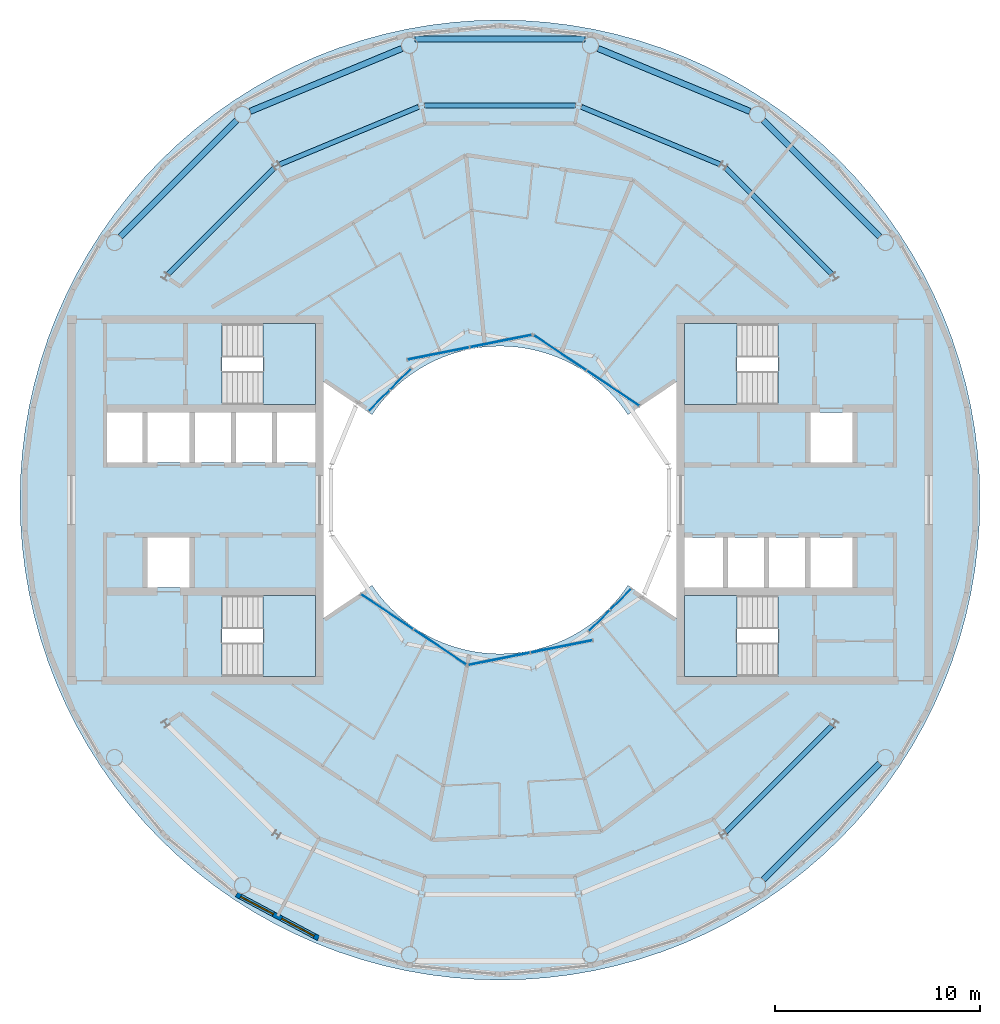
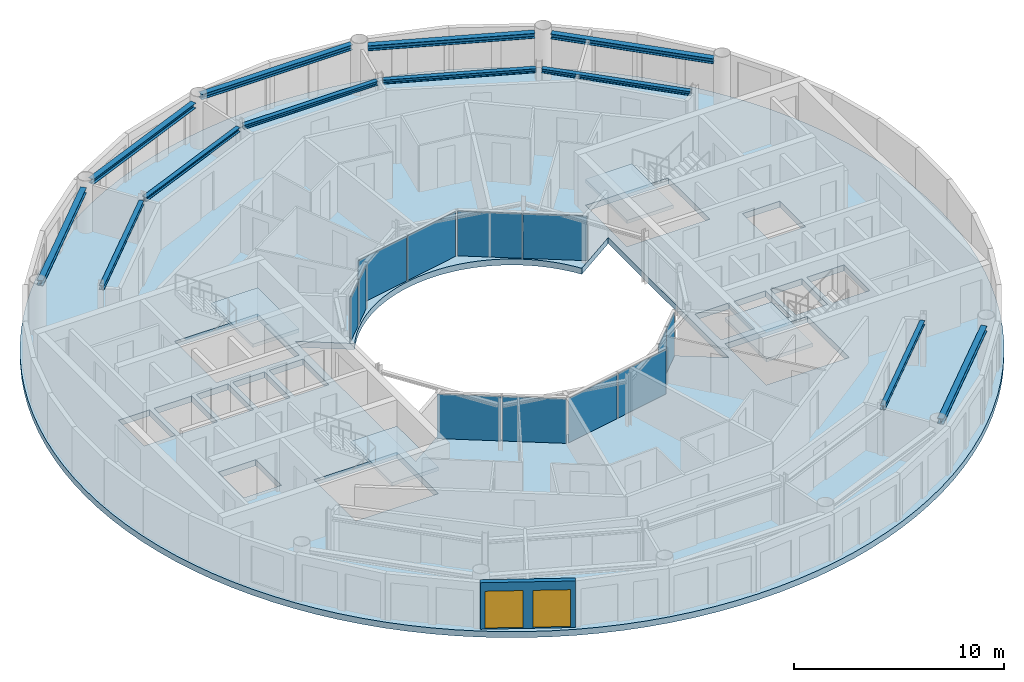
# One storey, part 7 of 17: 12 beams, 12 plates, 5 slabs, 2 doors, 1 wall, 2 openings, 10 elements without a shape of their own.
"""IFC4 building model written with IfcOpenShell, lengths in metres."""

from ifc_helpers import new_model, si_unit, direction, frame, frame_2d, origin, origin_2d, place, context, subcontext, project, spatial, polyline, rectangle, i_section, outline, extrude, material, layer, layer_set, material_profile, profile_set, type_object, element, fill, aggregate, save


model = new_model("IFC4")

# Units and contexts
model_context = context("Model", 3, precision=1e-05, world=origin(), true_north=direction((0.0, 1.0)))
body_context = subcontext(model_context, "Body", "Model", "MODEL_VIEW")
ifc_project = project(units=[si_unit("LENGTHUNIT", "METRE"), si_unit("AREAUNIT", "SQUARE_METRE"), si_unit("VOLUMEUNIT", "CUBIC_METRE"), si_unit("PLANEANGLEUNIT", "RADIAN"), si_unit("MASSUNIT", "GRAM", prefix="KILO")], contexts=[model_context])

# Site, building, storey
site_placement = place(None, origin())
site = spatial("IfcSite", under=ifc_project, at=site_placement, CompositionType="ELEMENT")
building_placement = place(site_placement, origin())
building = spatial("IfcBuilding", under=site, at=building_placement, Name="Maasbend Ring Residences", CompositionType="ELEMENT")
storey_placement = place(building_placement, frame((0.0, 0.0, 249.300048828125)))
storey = spatial("IfcBuildingStorey", under=building, at=storey_placement, Name="L72", CompositionType="ELEMENT", Elevation=249.300048828125)

# Beams
ifc_material_1 = material(Name="Steel S355J2", Category="steel")
ifc_material_profile_1 = material_profile(ifc_material_1, i_section(OverallWidth=0.239990234375, OverallDepth=0.22998046875, WebThickness=0.007568359375, FlangeThickness=0.011962890625, FilletRadius=0.02099609375, at=origin_2d()), Name="HEA 240")
ifc_profile_set_1 = profile_set([ifc_material_profile_1], Name="Steel S355J2")
beam_type_1 = type_object("IfcBeamType", Name="Corridor ring beam HEA 240", PredefinedType="BEAM", material=ifc_profile_set_1)
beam_1_placement = place(storey_placement, frame((16.188720703125, 10.997314453125, 2.5849609375), z_axis=(-0.707106781187, 0.707106781187, 0.0), x_axis=(-0.707106781187, -0.707106781187, 0.0)))
element("IfcBeam", 1, at=beam_1_placement, inside=storey, type_object=beam_type_1, Name="Corridor ring beam", PredefinedType="BEAM", context=body_context, shape_type="SweptSolid", body=[
    extrude(i_section(OverallWidth=0.239990234375, OverallDepth=0.22998046875, WebThickness=0.007568359375, FlangeThickness=0.011962890625, FilletRadius=0.02099609375, at=origin_2d()), origin(), (0.0, 0.0, 1.0), 7.341796875),
])
beam_2_placement = place(storey_placement, frame((10.747802734375, 16.355224609375, 2.5849609375), z_axis=(-0.923875784142, 0.382692481603, 0.0), x_axis=(-0.382692481603, -0.923875784142, 0.0)))
element("IfcBeam", 2, at=beam_2_placement, inside=storey, type_object=beam_type_1, Name="Corridor ring beam", PredefinedType="BEAM", context=body_context, shape_type="SweptSolid", body=[
    extrude(i_section(OverallWidth=0.239990234375, OverallDepth=0.22998046875, WebThickness=0.007568359375, FlangeThickness=0.011962890625, FilletRadius=0.02099609375, at=origin_2d()), origin(), (0.0, 0.0, 1.0), 7.341552734375),
])
beam_3_placement = place(storey_placement, frame((3.6708984375, 19.223388671875, 2.5849609375), z_axis=(-1.0, 0.0, 0.0), x_axis=(0.0, -1.0, 0.0)))
element("IfcBeam", 3, at=beam_3_placement, inside=storey, type_object=beam_type_1, Name="Corridor ring beam", PredefinedType="BEAM", context=body_context, shape_type="SweptSolid", body=[
    extrude(i_section(OverallWidth=0.239990234375, OverallDepth=0.22998046875, WebThickness=0.007568359375, FlangeThickness=0.011962890625, FilletRadius=0.02099609375, at=origin_2d()), origin(), (0.0, 0.0, 1.0), 7.341796875),
])
beam_4_placement = place(storey_placement, frame((-3.965087890625, 19.164794921875, 2.5849609375), z_axis=(-0.923875784142, -0.382692481603, 0.0), x_axis=(0.382692481603, -0.923875784142, 0.0)))
element("IfcBeam", 4, at=beam_4_placement, inside=storey, type_object=beam_type_1, Name="Corridor ring beam", PredefinedType="BEAM", context=body_context, shape_type="SweptSolid", body=[
    extrude(i_section(OverallWidth=0.239990234375, OverallDepth=0.22998046875, WebThickness=0.007568359375, FlangeThickness=0.011962890625, FilletRadius=0.02099609375, at=origin_2d()), origin(), (0.0, 0.0, 1.0), 7.341552734375),
])
for number, where, z_axis, x_axis, name in (
    (5, (-10.997314453125, 16.188720703125, 2.5849609375), (-0.707106781187, -0.707106781187, 0.0), (0.707106781187, -0.707106781187, 0.0), "Corridor ring beam"),
    (6, (10.997314453125, -16.188720703125, 2.5849609375), (0.707106781187, 0.707106781187, 0.0), (-0.707106781187, 0.707106781187, 0.0), "Corridor ring beam"),
):
    element("IfcBeam", number, at=place(storey_placement, frame(where, z_axis=z_axis, x_axis=x_axis)), inside=storey, type_object=beam_type_1, Name=name, PredefinedType="BEAM", context=body_context, shape_type="SweptSolid", body=[
        extrude(i_section(OverallWidth=0.239990234375, OverallDepth=0.22998046875, WebThickness=0.007568359375, FlangeThickness=0.011962890625, FilletRadius=0.02099609375, at=origin_2d()), origin(), (0.0, 0.0, 1.0), 7.341796875),
    ])
ifc_material_2 = material(Name="Steel S355J2", Category="steel")
ifc_material_profile_2 = material_profile(ifc_material_2, i_section(OverallWidth=0.300048828125, OverallDepth=0.300048828125, WebThickness=0.010986328125, FlangeThickness=0.01904296875, FilletRadius=0.027099609375, at=origin_2d()), Name="HEB 300")
ifc_profile_set_2 = profile_set([ifc_material_profile_2], Name="Steel S355J2")
beam_type_2 = type_object("IfcBeamType", Name="Spandrel ring beam HEB 300", PredefinedType="SPANDREL", material=ifc_profile_set_2)
beam_5_placement = place(storey_placement, frame((18.50390625, 12.84326171875, 2.550048828125), z_axis=(-0.707106781187, 0.707106781187, 0.0), x_axis=(-0.707106781187, -0.707106781187, 0.0)))
element("IfcBeam", 7, at=beam_5_placement, inside=storey, type_object=beam_type_2, Name="Spandrel ring beam", PredefinedType="SPANDREL", context=body_context, shape_type="SweptSolid", body=[
    extrude(i_section(OverallWidth=0.300048828125, OverallDepth=0.300048828125, WebThickness=0.010986328125, FlangeThickness=0.01904296875, FilletRadius=0.027099609375, at=origin_2d()), origin(), (0.0, 0.0, 1.0), 8.00537109375),
])
beam_6_placement = place(storey_placement, frame((12.180419921875, 18.94677734375, 2.550048828125), z_axis=(-0.923887850638, 0.382663350013, 0.0), x_axis=(-0.382663350013, -0.923887850638, 0.0)))
element("IfcBeam", 8, at=beam_6_placement, inside=storey, type_object=beam_type_2, Name="Spandrel ring beam", PredefinedType="SPANDREL", context=body_context, shape_type="SweptSolid", body=[
    extrude(i_section(OverallWidth=0.300048828125, OverallDepth=0.300048828125, WebThickness=0.010986328125, FlangeThickness=0.01904296875, FilletRadius=0.027099609375, at=origin_2d()), origin(), (0.0, 0.0, 1.0), 8.005126953125),
])
beam_7_placement = place(storey_placement, frame((4.152587890625, 22.4658203125, 2.550048828125), z_axis=(-1.0, 0.0, 0.0), x_axis=(0.0, -1.0, 0.0)))
element("IfcBeam", 9, at=beam_7_placement, inside=storey, type_object=beam_type_2, Name="Spandrel ring beam", PredefinedType="SPANDREL", context=body_context, shape_type="SweptSolid", body=[
    extrude(i_section(OverallWidth=0.300048828125, OverallDepth=0.300048828125, WebThickness=0.010986328125, FlangeThickness=0.01904296875, FilletRadius=0.027099609375, at=origin_2d()), origin(), (0.0, 0.0, 1.0), 8.30517578125),
])
beam_8_placement = place(storey_placement, frame((-4.78466796875, 22.010009765625, 2.550048828125), z_axis=(-0.923887850638, -0.382663350013, 0.0), x_axis=(0.382663350013, -0.923887850638, 0.0)))
element("IfcBeam", 10, at=beam_8_placement, inside=storey, type_object=beam_type_2, Name="Spandrel ring beam", PredefinedType="SPANDREL", context=body_context, shape_type="SweptSolid", body=[
    extrude(i_section(OverallWidth=0.300048828125, OverallDepth=0.300048828125, WebThickness=0.010986328125, FlangeThickness=0.01904296875, FilletRadius=0.027099609375, at=origin_2d()), origin(), (0.0, 0.0, 1.0), 8.005126953125),
])
for number, where, z_axis, x_axis, name in (
    (11, (-12.84326171875, 18.50390625, 2.550048828125), (-0.707106781187, -0.707106781187, 0.0), (0.707106781187, -0.707106781187, 0.0), "Spandrel ring beam"),
    (12, (12.84326171875, -18.50390625, 2.550048828125), (0.707106781187, 0.707106781187, 0.0), (-0.707106781187, 0.707106781187, 0.0), "Spandrel ring beam"),
):
    element("IfcBeam", number, at=place(storey_placement, frame(where, z_axis=z_axis, x_axis=x_axis)), inside=storey, type_object=beam_type_2, Name=name, PredefinedType="SPANDREL", context=body_context, shape_type="SweptSolid", body=[
        extrude(i_section(OverallWidth=0.300048828125, OverallDepth=0.300048828125, WebThickness=0.010986328125, FlangeThickness=0.01904296875, FilletRadius=0.027099609375, at=origin_2d()), origin(), (0.0, 0.0, 1.0), 8.00537109375),
    ])

# Stair, slab
ifc_material_3 = material(Name="Concrete C40/50", Category="concrete")
stair_type = type_object("IfcStairType", Name="CORE STAIR 18 RISERS", PredefinedType="HALF_TURN_STAIR", material=ifc_material_3)
stair_1_placement = place(storey_placement, origin())
stair_1 = element("IfcStair", 13, at=stair_1_placement, inside=storey, type_object=stair_type, Name="L72 Exit stair ST-E1", PredefinedType="HALF_TURN_STAIR")
ifc_material_4 = material(Name="Concrete C40/50", Category="concrete")
ifc_layer_1 = layer(ifc_material_4, 0.199951171875)
ifc_layer_set_1 = layer_set([ifc_layer_1], Name="Concrete C40/50")
slab_type_1 = type_object("IfcSlabType", Name="CORE STAIR LANDING 200", PredefinedType="LANDING", material=ifc_layer_set_1)
slab_1_placement = place(storey_placement, frame((0.0, 0.0, 1.324951171875)))
slab_1 = element("IfcSlab", 14, at=slab_1_placement, type_object=slab_type_1, Name="ST-E1 landing 1", PredefinedType="LANDING", context=body_context, shape_type="SweptSolid", body=[
    extrude(outline(polyline([(11.550048828125, 8.60009765625), (9.0, 8.60009765625), (9.0, 4.64990234375), (11.550048828125, 4.64990234375), (11.550048828125, 8.60009765625)])), origin(), (0.0, 0.0, 1.0), 0.199951171875),
])
aggregate(stair_1, [slab_1])

stair_2_placement = place(storey_placement, origin())
stair_2 = element("IfcStair", 15, at=stair_2_placement, inside=storey, type_object=stair_type, Name="L72 Exit stair ST-E2", PredefinedType="HALF_TURN_STAIR")
slab_2_placement = place(storey_placement, frame((0.0, 0.0, 1.324951171875)))
slab_2 = element("IfcSlab", 16, at=slab_2_placement, type_object=slab_type_1, Name="ST-E2 landing 1", PredefinedType="LANDING", context=body_context, shape_type="SweptSolid", body=[
    extrude(outline(polyline([(11.550048828125, -4.64990234375), (9.0, -4.64990234375), (9.0, -8.60009765625), (11.550048828125, -8.60009765625), (11.550048828125, -4.64990234375)])), origin(), (0.0, 0.0, 1.0), 0.199951171875),
])
aggregate(stair_2, [slab_2])

stair_3_placement = place(storey_placement, origin())
stair_3 = element("IfcStair", 17, at=stair_3_placement, inside=storey, type_object=stair_type, Name="L72 Exit stair ST-W1", PredefinedType="HALF_TURN_STAIR")
slab_3_placement = place(storey_placement, frame((0.0, 0.0, 1.324951171875)))
slab_3 = element("IfcSlab", 18, at=slab_3_placement, type_object=slab_type_1, Name="ST-W1 landing 1", PredefinedType="LANDING", context=body_context, shape_type="SweptSolid", body=[
    extrude(outline(polyline([(-11.550048828125, -8.60009765625), (-9.0, -8.60009765625), (-9.0, -4.64990234375), (-11.550048828125, -4.64990234375), (-11.550048828125, -8.60009765625)])), origin(), (0.0, 0.0, 1.0), 0.199951171875),
])
aggregate(stair_3, [slab_3])

stair_4_placement = place(storey_placement, origin())
stair_4 = element("IfcStair", 19, at=stair_4_placement, inside=storey, type_object=stair_type, Name="L72 Exit stair ST-W2", PredefinedType="HALF_TURN_STAIR")
slab_4_placement = place(storey_placement, frame((0.0, 0.0, 1.324951171875)))
slab_4 = element("IfcSlab", 20, at=slab_4_placement, type_object=slab_type_1, Name="ST-W2 landing 1", PredefinedType="LANDING", context=body_context, shape_type="SweptSolid", body=[
    extrude(outline(polyline([(-11.550048828125, 4.64990234375), (-9.0, 4.64990234375), (-9.0, 8.60009765625), (-11.550048828125, 8.60009765625), (-11.550048828125, 4.64990234375)])), origin(), (0.0, 0.0, 1.0), 0.199951171875),
])
aggregate(stair_4, [slab_4])

# Curtain wall, plates
ifc_material_5 = material(Name="Aluminium and clear glass", Category="aluminium")
ifc_layer_2 = layer(ifc_material_5, 0.179931640625)
ifc_layer_set_2 = layer_set([ifc_layer_2], Name="CW-W")
curtain_wall_type = type_object("IfcCurtainWallType", Name="CW-W", PredefinedType="NOTDEFINED", material=ifc_layer_set_2)
curtain_wall_1_placement = place(storey_placement, origin())
curtain_wall_1 = element("IfcCurtainWall", 21, at=curtain_wall_1_placement, inside=storey, type_object=curtain_wall_type, Name="Well curtain wall N1", PredefinedType="NOTDEFINED")
ifc_material_6 = material(Name="Glass clear laminated", Category="glass")
ifc_layer_3 = layer(ifc_material_6, 0.031982421875)
ifc_layer_set_3 = layer_set([ifc_layer_3], Name="CWP-W")
plate_type = type_object("IfcPlateType", Name="CWP-W", PredefinedType="CURTAIN_PANEL", material=ifc_layer_set_3)
plate_1_placement = place(storey_placement, frame((5.51123046875, 5.44580078125, 0.0), z_axis=(0.0, 0.0, 1.0), x_axis=(-0.831469612303, 0.55557023302, 0.0)))
plate_1 = element("IfcPlate", 22, at=plate_1_placement, type_object=plate_type, Name="Glass panel well face", PredefinedType="CURTAIN_PANEL", context=body_context, shape_type="SweptSolid", body=[
    extrude(rectangle(XDim=3.053955078125, YDim=0.031982421875, at=origin_2d()), origin(), (0.0, 0.0, 1.0), 2.580078125),
])
plate_2_placement = place(storey_placement, frame((2.922119140625, 7.17578125, 0.0), z_axis=(0.0, 0.0, 1.0), x_axis=(-0.831469612303, 0.55557023302, 0.0)))
plate_2 = element("IfcPlate", 23, at=plate_2_placement, type_object=plate_type, Name="Glass panel well face", PredefinedType="CURTAIN_PANEL", context=body_context, shape_type="SweptSolid", body=[
    extrude(rectangle(XDim=3.053955078125, YDim=0.031982421875, at=origin_2d()), origin(), (0.0, 0.0, 1.0), 2.580078125),
])
aggregate(curtain_wall_1, [plate_1, plate_2])

curtain_wall_2_placement = place(storey_placement, origin())
curtain_wall_2 = element("IfcCurtainWall", 24, at=curtain_wall_2_placement, inside=storey, type_object=curtain_wall_type, Name="Well curtain wall N2", PredefinedType="NOTDEFINED")
plate_3_placement = place(storey_placement, frame((0.04638671875, 7.747802734375, 0.0), z_axis=(0.0, 0.0, 1.0), x_axis=(-0.980785280403, -0.195090322016, 0.0)))
plate_3 = element("IfcPlate", 25, at=plate_3_placement, type_object=plate_type, Name="Glass panel well face", PredefinedType="CURTAIN_PANEL", context=body_context, shape_type="SweptSolid", body=[
    extrude(rectangle(XDim=3.053955078125, YDim=0.031982421875, at=origin_2d()), origin(), (0.0, 0.0, 1.0), 2.580078125),
])
plate_4_placement = place(storey_placement, frame((-3.0078125, 7.140380859375, 0.0), z_axis=(0.0, 0.0, 1.0), x_axis=(-0.980785280403, -0.195090322016, 0.0)))
plate_4 = element("IfcPlate", 26, at=plate_4_placement, type_object=plate_type, Name="Glass panel well face", PredefinedType="CURTAIN_PANEL", context=body_context, shape_type="SweptSolid", body=[
    extrude(rectangle(XDim=3.053955078125, YDim=0.031982421875, at=origin_2d()), origin(), (0.0, 0.0, 1.0), 2.580078125),
])
aggregate(curtain_wall_2, [plate_3, plate_4])

curtain_wall_3_placement = place(storey_placement, origin())
curtain_wall_3 = element("IfcCurtainWall", 27, at=curtain_wall_3_placement, inside=storey, type_object=curtain_wall_type, Name="Well curtain wall N3", PredefinedType="NOTDEFINED")
plate_5_placement = place(storey_placement, frame((-4.84375, 5.89013671875, 0.0), z_axis=(0.0, 0.0, 1.0), x_axis=(-0.707106781187, -0.707106781187, 0.0)))
plate_5 = element("IfcPlate", 28, at=plate_5_placement, type_object=plate_type, Name="Glass panel well face", PredefinedType="CURTAIN_PANEL", context=body_context, shape_type="SweptSolid", body=[
    extrude(rectangle(XDim=1.419677734375, YDim=0.031982421875, at=origin_2d()), origin(), (0.0, 0.0, 1.0), 2.580078125),
])
plate_6_placement = place(storey_placement, frame((-5.89013671875, 4.84375, 0.0), z_axis=(0.0, 0.0, 1.0), x_axis=(-0.707106781187, -0.707106781187, 0.0)))
plate_6 = element("IfcPlate", 29, at=plate_6_placement, type_object=plate_type, Name="Glass panel well face", PredefinedType="CURTAIN_PANEL", context=body_context, shape_type="SweptSolid", body=[
    extrude(rectangle(XDim=1.419677734375, YDim=0.031982421875, at=origin_2d()), origin(), (0.0, 0.0, 1.0), 2.580078125),
])
aggregate(curtain_wall_3, [plate_5, plate_6])

curtain_wall_4_placement = place(storey_placement, origin())
curtain_wall_4 = element("IfcCurtainWall", 30, at=curtain_wall_4_placement, inside=storey, type_object=curtain_wall_type, Name="Well curtain wall S1", PredefinedType="NOTDEFINED")
plate_7_placement = place(storey_placement, frame((-5.51123046875, -5.44580078125, 0.0), z_axis=(0.0, 0.0, 1.0), x_axis=(0.831469612303, -0.55557023302, 0.0)))
plate_7 = element("IfcPlate", 31, at=plate_7_placement, type_object=plate_type, Name="Glass panel well face", PredefinedType="CURTAIN_PANEL", context=body_context, shape_type="SweptSolid", body=[
    extrude(rectangle(XDim=3.053955078125, YDim=0.031982421875, at=origin_2d()), origin(), (0.0, 0.0, 1.0), 2.580078125),
])
plate_8_placement = place(storey_placement, frame((-2.922119140625, -7.17578125, 0.0), z_axis=(0.0, 0.0, 1.0), x_axis=(0.831469612303, -0.55557023302, 0.0)))
plate_8 = element("IfcPlate", 32, at=plate_8_placement, type_object=plate_type, Name="Glass panel well face", PredefinedType="CURTAIN_PANEL", context=body_context, shape_type="SweptSolid", body=[
    extrude(rectangle(XDim=3.053955078125, YDim=0.031982421875, at=origin_2d()), origin(), (0.0, 0.0, 1.0), 2.580078125),
])
aggregate(curtain_wall_4, [plate_7, plate_8])

curtain_wall_5_placement = place(storey_placement, origin())
curtain_wall_5 = element("IfcCurtainWall", 33, at=curtain_wall_5_placement, inside=storey, type_object=curtain_wall_type, Name="Well curtain wall S2", PredefinedType="NOTDEFINED")
plate_9_placement = place(storey_placement, frame((-0.04638671875, -7.747802734375, 0.0), z_axis=(0.0, 0.0, 1.0), x_axis=(0.980785280403, 0.195090322016, 0.0)))
plate_9 = element("IfcPlate", 34, at=plate_9_placement, type_object=plate_type, Name="Glass panel well face", PredefinedType="CURTAIN_PANEL", context=body_context, shape_type="SweptSolid", body=[
    extrude(rectangle(XDim=3.053955078125, YDim=0.031982421875, at=origin_2d()), origin(), (0.0, 0.0, 1.0), 2.580078125),
])
plate_10_placement = place(storey_placement, frame((3.0078125, -7.140380859375, 0.0), z_axis=(0.0, 0.0, 1.0), x_axis=(0.980785280403, 0.195090322016, 0.0)))
plate_10 = element("IfcPlate", 35, at=plate_10_placement, type_object=plate_type, Name="Glass panel well face", PredefinedType="CURTAIN_PANEL", context=body_context, shape_type="SweptSolid", body=[
    extrude(rectangle(XDim=3.053955078125, YDim=0.031982421875, at=origin_2d()), origin(), (0.0, 0.0, 1.0), 2.580078125),
])
aggregate(curtain_wall_5, [plate_9, plate_10])

curtain_wall_6_placement = place(storey_placement, origin())
curtain_wall_6 = element("IfcCurtainWall", 36, at=curtain_wall_6_placement, inside=storey, type_object=curtain_wall_type, Name="Well curtain wall S3", PredefinedType="NOTDEFINED")
plate_11_placement = place(storey_placement, frame((4.84375, -5.89013671875, 0.0), z_axis=(0.0, 0.0, 1.0), x_axis=(0.707106781187, 0.707106781187, 0.0)))
plate_11 = element("IfcPlate", 37, at=plate_11_placement, type_object=plate_type, Name="Glass panel well face", PredefinedType="CURTAIN_PANEL", context=body_context, shape_type="SweptSolid", body=[
    extrude(rectangle(XDim=1.419677734375, YDim=0.031982421875, at=origin_2d()), origin(), (0.0, 0.0, 1.0), 2.580078125),
])
plate_12_placement = place(storey_placement, frame((5.89013671875, -4.84375, 0.0), z_axis=(0.0, 0.0, 1.0), x_axis=(0.707106781187, 0.707106781187, 0.0)))
plate_12 = element("IfcPlate", 38, at=plate_12_placement, type_object=plate_type, Name="Glass panel well face", PredefinedType="CURTAIN_PANEL", context=body_context, shape_type="SweptSolid", body=[
    extrude(rectangle(XDim=1.419677734375, YDim=0.031982421875, at=origin_2d()), origin(), (0.0, 0.0, 1.0), 2.580078125),
])
aggregate(curtain_wall_6, [plate_11, plate_12])

# Slab
ifc_material_7 = material(Name="Concrete C40/50", Category="concrete")
ifc_layer_4 = layer(ifc_material_7, 0.35009765625)
ifc_layer_set_4 = layer_set([ifc_layer_4], Name="Concrete C40/50")
slab_type_2 = type_object("IfcSlabType", Name="Post-tensioned flat plate 350", PredefinedType="FLOOR", material=ifc_layer_set_4)
slab_5_placement = place(storey_placement, frame((0.0, 0.0, -0.35009765625)))
element("IfcSlab", 39, at=slab_5_placement, inside=storey, type_object=slab_type_2, Name="Floor slab L72", PredefinedType="FLOOR", context=body_context, shape_type="SweptSolid", body=[
    extrude(outline(polyline([(22.69873046875, -5.685791015625), (22.950439453125, -4.565185546875), (23.146728515625, -3.43359375), (23.287353515625, -2.293701171875), (23.371826171875, -1.148193359375), (23.39990234375, 0.0), (23.371826171875, 1.148193359375), (23.287353515625, 2.293701171875), (23.146728515625, 3.43359375), (22.950439453125, 4.565185546875), (22.69873046875, 5.685791015625), (22.392333984375, 6.792724609375), (22.031982421875, 7.88330078125), (21.618896484375, 8.954833984375), (21.1533203125, 10.0048828125), (20.636962890625, 11.03076171875), (20.07080078125, 12.030029296875), (19.456298828125, 13.000244140625), (18.795166015625, 13.939453125), (18.08837890625, 14.8447265625), (17.33837890625, 15.714599609375), (16.54638671875, 16.54638671875), (15.714599609375, 17.33837890625), (14.8447265625, 18.08837890625), (13.939453125, 18.795166015625), (13.000244140625, 19.456298828125), (12.030029296875, 20.07080078125), (11.03076171875, 20.636962890625), (10.0048828125, 21.1533203125), (8.954833984375, 21.618896484375), (7.88330078125, 22.031982421875), (6.792724609375, 22.392333984375), (5.685791015625, 22.69873046875), (4.565185546875, 22.950439453125), (3.43359375, 23.146728515625), (2.293701171875, 23.287353515625), (1.148193359375, 23.371826171875), (0.0, 23.39990234375), (-1.148193359375, 23.371826171875), (-2.293701171875, 23.287353515625), (-3.43359375, 23.146728515625), (-4.565185546875, 22.950439453125), (-5.685791015625, 22.69873046875), (-6.792724609375, 22.392333984375), (-7.88330078125, 22.031982421875), (-8.954833984375, 21.618896484375), (-10.0048828125, 21.1533203125), (-11.03076171875, 20.636962890625), (-12.030029296875, 20.07080078125), (-13.000244140625, 19.456298828125), (-13.939453125, 18.795166015625), (-14.8447265625, 18.08837890625), (-15.714599609375, 17.33837890625), (-16.54638671875, 16.54638671875), (-17.33837890625, 15.714599609375), (-18.08837890625, 14.8447265625), (-18.795166015625, 13.939453125), (-19.456298828125, 13.000244140625), (-20.07080078125, 12.030029296875), (-20.636962890625, 11.03076171875), (-21.1533203125, 10.0048828125), (-21.618896484375, 8.954833984375), (-22.031982421875, 7.88330078125), (-22.392333984375, 6.792724609375), (-22.69873046875, 5.685791015625), (-22.950439453125, 4.565185546875), (-23.146728515625, 3.43359375), (-23.287353515625, 2.293701171875), (-23.371826171875, 1.148193359375), (-23.39990234375, 0.0), (-23.371826171875, -1.148193359375), (-23.287353515625, -2.293701171875), (-23.146728515625, -3.43359375), (-22.950439453125, -4.565185546875), (-22.69873046875, -5.685791015625), (-22.392333984375, -6.792724609375), (-22.031982421875, -7.88330078125), (-21.618896484375, -8.954833984375), (-21.1533203125, -10.0048828125), (-20.636962890625, -11.03076171875), (-20.07080078125, -12.030029296875), (-19.456298828125, -13.000244140625), (-18.795166015625, -13.939453125), (-18.08837890625, -14.8447265625), (-17.33837890625, -15.714599609375), (-16.54638671875, -16.54638671875), (-15.714599609375, -17.33837890625), (-14.8447265625, -18.08837890625), (-13.939453125, -18.795166015625), (-13.000244140625, -19.456298828125), (-12.030029296875, -20.07080078125), (-11.03076171875, -20.636962890625), (-10.0048828125, -21.1533203125), (-8.954833984375, -21.618896484375), (-7.88330078125, -22.031982421875), (-6.792724609375, -22.392333984375), (-5.685791015625, -22.69873046875), (-4.565185546875, -22.950439453125), (-3.43359375, -23.146728515625), (-2.293701171875, -23.287353515625), (-1.148193359375, -23.371826171875), (0.0, -23.39990234375), (1.148193359375, -23.371826171875), (2.293701171875, -23.287353515625), (3.43359375, -23.146728515625), (4.565185546875, -22.950439453125), (5.685791015625, -22.69873046875), (6.792724609375, -22.392333984375), (7.88330078125, -22.031982421875), (8.954833984375, -21.618896484375), (10.0048828125, -21.1533203125), (11.03076171875, -20.636962890625), (12.030029296875, -20.07080078125), (13.000244140625, -19.456298828125), (13.939453125, -18.795166015625), (14.8447265625, -18.08837890625), (15.714599609375, -17.33837890625), (16.54638671875, -16.54638671875), (17.33837890625, -15.714599609375), (18.08837890625, -14.8447265625), (18.795166015625, -13.939453125), (19.456298828125, -13.000244140625), (20.07080078125, -12.030029296875), (20.636962890625, -11.03076171875), (21.1533203125, -10.0048828125), (21.618896484375, -8.954833984375), (22.031982421875, -7.88330078125), (22.392333984375, -6.792724609375), (22.69873046875, -5.685791015625)]), holes=[polyline([(15.125, 1.824951171875), (15.125, 4.27490234375), (17.175048828125, 4.27490234375), (17.175048828125, 1.824951171875), (15.125, 1.824951171875)]), polyline([(15.125, -4.27490234375), (15.125, -1.824951171875), (17.175048828125, -1.824951171875), (17.175048828125, -4.27490234375), (15.125, -4.27490234375)]), polyline([(13.125, -4.27490234375), (13.125, -1.824951171875), (14.875, -1.824951171875), (14.875, -4.27490234375), (13.125, -4.27490234375)]), polyline([(13.550048828125, 8.60009765625), (13.550048828125, 4.64990234375), (9.0, 4.64990234375), (9.0, 8.60009765625), (13.550048828125, 8.60009765625)]), polyline([(13.550048828125, -4.64990234375), (13.550048828125, -8.60009765625), (9.0, -8.60009765625), (9.0, -4.64990234375), (13.550048828125, -4.64990234375)]), polyline([(11.125, -4.27490234375), (11.125, -1.824951171875), (12.875, -1.824951171875), (12.875, -4.27490234375), (11.125, -4.27490234375)]), polyline([(9.0, -4.27490234375), (9.0, -1.824951171875), (10.875, -1.824951171875), (10.875, -4.27490234375), (9.0, -4.27490234375)]), polyline([(6.024169921875, 4.4677734375), (6.236083984375, 4.166748046875), (8.60009765625, 5.746337890625), (8.60009765625, -5.746337890625), (6.236083984375, -4.166748046875), (6.024169921875, -4.4677734375), (5.797607421875, -4.7578125), (5.55712890625, -5.03662109375), (5.30322265625, -5.30322265625), (5.03662109375, -5.55712890625), (4.7578125, -5.797607421875), (4.4677734375, -6.024169921875), (4.166748046875, -6.236083984375), (3.855712890625, -6.43310546875), (3.535400390625, -6.614501953125), (3.206787109375, -6.77978515625), (2.8701171875, -6.92919921875), (2.526611328125, -7.0615234375), (2.177001953125, -7.177001953125), (1.822509765625, -7.275146484375), (1.463134765625, -7.35595703125), (1.1005859375, -7.418701171875), (0.735107421875, -7.4638671875), (0.367919921875, -7.490966796875), (0.0, -7.5), (-0.367919921875, -7.490966796875), (-0.735107421875, -7.4638671875), (-1.1005859375, -7.418701171875), (-1.463134765625, -7.35595703125), (-1.822509765625, -7.275146484375), (-2.177001953125, -7.177001953125), (-2.526611328125, -7.0615234375), (-2.8701171875, -6.92919921875), (-3.206787109375, -6.77978515625), (-3.535400390625, -6.614501953125), (-3.855712890625, -6.43310546875), (-4.166748046875, -6.236083984375), (-4.4677734375, -6.024169921875), (-4.7578125, -5.797607421875), (-5.03662109375, -5.55712890625), (-5.30322265625, -5.30322265625), (-5.55712890625, -5.03662109375), (-5.797607421875, -4.7578125), (-6.024169921875, -4.4677734375), (-6.236083984375, -4.166748046875), (-8.60009765625, -5.746337890625), (-8.60009765625, 5.746337890625), (-6.236083984375, 4.166748046875), (-6.024169921875, 4.4677734375), (-5.797607421875, 4.7578125), (-5.55712890625, 5.03662109375), (-5.30322265625, 5.30322265625), (-5.03662109375, 5.55712890625), (-4.7578125, 5.797607421875), (-4.4677734375, 6.024169921875), (-4.166748046875, 6.236083984375), (-3.855712890625, 6.43310546875), (-3.535400390625, 6.614501953125), (-3.206787109375, 6.77978515625), (-2.8701171875, 6.92919921875), (-2.526611328125, 7.0615234375), (-2.177001953125, 7.177001953125), (-1.822509765625, 7.275146484375), (-1.463134765625, 7.35595703125), (-1.1005859375, 7.418701171875), (-0.735107421875, 7.4638671875), (-0.367919921875, 7.490966796875), (0.0, 7.5), (0.367919921875, 7.490966796875), (0.735107421875, 7.4638671875), (1.1005859375, 7.418701171875), (1.463134765625, 7.35595703125), (1.822509765625, 7.275146484375), (2.177001953125, 7.177001953125), (2.526611328125, 7.0615234375), (2.8701171875, 6.92919921875), (3.206787109375, 6.77978515625), (3.535400390625, 6.614501953125), (3.855712890625, 6.43310546875), (4.166748046875, 6.236083984375), (4.4677734375, 6.024169921875), (4.7578125, 5.797607421875), (5.03662109375, 5.55712890625), (5.30322265625, 5.30322265625), (5.55712890625, 5.03662109375), (5.797607421875, 4.7578125), (6.024169921875, 4.4677734375)]), polyline([(-13.550048828125, 4.64990234375), (-13.550048828125, 8.60009765625), (-9.0, 8.60009765625), (-9.0, 4.64990234375), (-13.550048828125, 4.64990234375)]), polyline([(-9.0, -8.60009765625), (-13.550048828125, -8.60009765625), (-13.550048828125, -4.64990234375), (-9.0, -4.64990234375), (-9.0, -8.60009765625)]), polyline([(-9.0, 4.27490234375), (-9.0, 1.824951171875), (-10.875, 1.824951171875), (-10.875, 4.27490234375), (-9.0, 4.27490234375)]), polyline([(-11.125, 4.27490234375), (-11.125, 1.824951171875), (-12.875, 1.824951171875), (-12.875, 4.27490234375), (-11.125, 4.27490234375)]), polyline([(-13.125, 4.27490234375), (-13.125, 1.824951171875), (-14.875, 1.824951171875), (-14.875, 4.27490234375), (-13.125, 4.27490234375)]), polyline([(-15.125, 4.27490234375), (-15.125, 1.824951171875), (-17.175048828125, 1.824951171875), (-17.175048828125, 4.27490234375), (-15.125, 4.27490234375)]), polyline([(-15.125, -1.824951171875), (-15.125, -4.27490234375), (-17.175048828125, -4.27490234375), (-17.175048828125, -1.824951171875), (-15.125, -1.824951171875)]), polyline([(-17.425048828125, 4.27490234375), (-17.425048828125, 1.824951171875), (-19.14990234375, 1.824951171875), (-19.14990234375, 4.27490234375), (-17.425048828125, 4.27490234375)])]), origin(), (0.0, 0.0, 1.0), 0.35009765625),
])

# Wall, openings, doors
ifc_material_8 = material(Name="Aluminium clad insulated panel", Category="aluminium")
ifc_layer_5 = layer(ifc_material_8, 0.25)
ifc_layer_set_5 = layer_set([ifc_layer_5], Name="EW-GL")
wall_type = type_object("IfcWallType", Name="EW-GL", PredefinedType="SOLIDWALL", material=ifc_layer_set_5)
wall_placement = place(storey_placement, frame((-12.847900390625, -19.22802734375, 0.0), z_axis=(0.0, 0.0, 1.0), x_axis=(0.881912752543, -0.471412660947, 0.0)))
wall = element("IfcWall", 40, at=wall_placement, inside=storey, type_object=wall_type, Name="External wall S03", PredefinedType="SOLIDWALL", context=body_context, shape_type="SweptSolid", body=[
    extrude(rectangle(XDim=4.533203125, YDim=0.25, at=frame_2d((2.2666015625, 0.0))), origin(), (0.0, 0.0, 1.0), 2.699951171875),
])
opening_1_placement = place(wall_placement, frame((0.236083984375, 0.0, 0.0)))
opening_1 = element("IfcOpeningElement", 41, at=opening_1_placement, cuts=wall, Name="Opening D-TR", PredefinedType="OPENING", context=body_context, shape_type="SweptSolid", body=[
    extrude(rectangle(XDim=1.800048828125, YDim=2.199951171875, at=frame_2d((0.89990234375, 1.10009765625))), frame((0.0, 0.135009765625, 0.0), z_axis=(0.0, -1.0, 0.0), x_axis=(1.0, 0.0, 0.0)), (0.0, 0.0, 1.0), 0.27001953125),
])
opening_2_placement = place(wall_placement, frame((2.497314453125, 0.0, 0.0)))
opening_2 = element("IfcOpeningElement", 42, at=opening_2_placement, cuts=wall, Name="Opening D-TR", PredefinedType="OPENING", context=body_context, shape_type="SweptSolid", body=[
    extrude(rectangle(XDim=1.800048828125, YDim=2.199951171875, at=frame_2d((0.89990234375, 1.10009765625))), frame((0.0, 0.135009765625, 0.0), z_axis=(0.0, -1.0, 0.0), x_axis=(1.0, 0.0, 0.0)), (0.0, 0.0, 1.0), 0.27001953125),
])
ifc_material_9 = material(Name="Aluminium and clear glass", Category="aluminium")
door_type = type_object("IfcDoorType", Name="D-TR", OperationType="DOUBLE_DOOR_SINGLE_SWING", PredefinedType="DOOR", material=ifc_material_9)
door_1_placement = place(opening_1_placement, origin())
door_1 = element("IfcDoor", 43, at=door_1_placement, inside=storey, type_object=door_type, Name="Terrace door S05", OperationType="SINGLE_SWING_LEFT", OverallHeight=2.199951171875, OverallWidth=1.800048828125, PredefinedType="DOOR", context=body_context, shape_type="SweptSolid", body=[
    extrude(rectangle(XDim=1.800048828125, YDim=2.199951171875, at=frame_2d((0.89990234375, 1.10009765625))), frame((0.0, 0.02490234375, 0.0), z_axis=(0.0, -1.0, 0.0), x_axis=(1.0, 0.0, 0.0)), (0.0, 0.0, 1.0), 0.050048828125),
])
fill(opening_1, door_1)
door_2_placement = place(opening_2_placement, origin())
door_2 = element("IfcDoor", 44, at=door_2_placement, inside=storey, type_object=door_type, Name="Terrace door S06", OperationType="SINGLE_SWING_LEFT", OverallHeight=2.199951171875, OverallWidth=1.800048828125, PredefinedType="DOOR", context=body_context, shape_type="SweptSolid", body=[
    extrude(rectangle(XDim=1.800048828125, YDim=2.199951171875, at=frame_2d((0.89990234375, 1.10009765625))), frame((0.0, 0.02490234375, 0.0), z_axis=(0.0, -1.0, 0.0), x_axis=(1.0, 0.0, 0.0)), (0.0, 0.0, 1.0), 0.050048828125),
])
fill(opening_2, door_2)

save(model, "model.ifc")
